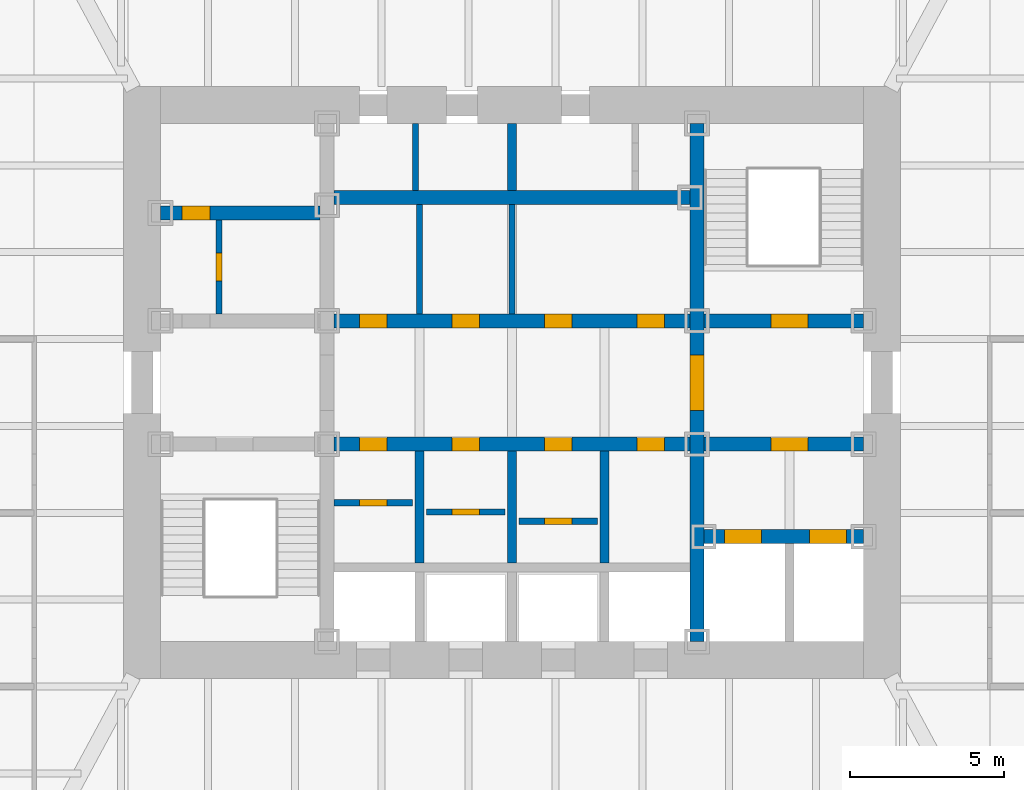
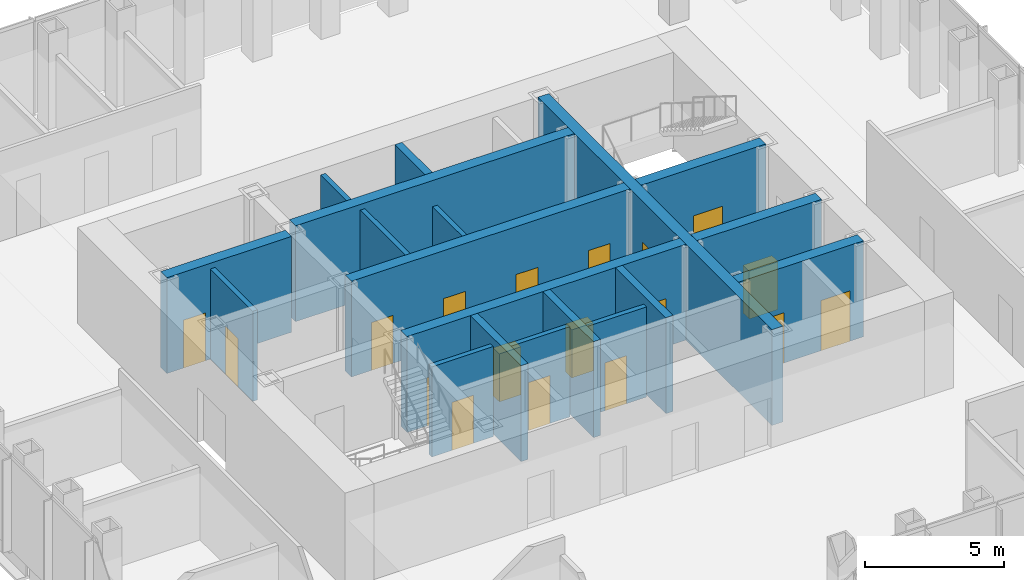
# One storey, part 9 of 16: 19 walls, 18 doors, 18 openings.
"""IFC4 building model written with IfcOpenShell, lengths in metres."""

import ifcopenshell
import ifcopenshell.guid

model = None  # the IFC model being written
_history = None  # IfcOwnerHistory: only IFC2X3 demands one
_inside = {}  # id of a spatial element -> (the spatial element, [elements in it])
_under = {}  # id of a project, library or spatial element -> (it, [spatial elements below it])
_declared = {}  # id of a project -> (the project, [libraries it declares])
_typed = {}  # id of a type object -> (the type object, [elements of that type])
_made_of = {}  # id of a material, layer set ... -> (it, [elements and type objects made of it])


def new_model(schema):
    """Start an empty IFC model of exactly this schema.

    Asked for "IFC4X3", IfcOpenShell would pick the latest addendum, in which some entities
    have other attributes; the version numbers below select the first issue.
    IFC2X3 requires an IfcOwnerHistory on every rooted entity: one is made here for all.
    """
    global model, _history
    if schema == "IFC4X3":
        model = ifcopenshell.file(schema_version=(4, 3, 0, 0))
    else:
        model = ifcopenshell.file(schema=schema)
    _inside.clear()
    _under.clear()
    _declared.clear()
    _typed.clear()
    _made_of.clear()
    _history = None
    if model.schema == "IFC2X3":
        org = make("IfcOrganization", Name="unknown")
        user = make(
            "IfcPersonAndOrganization",
            ThePerson=make("IfcPerson", FamilyName="unknown"),
            TheOrganization=org,
        )
        app = make(
            "IfcApplication",
            ApplicationDeveloper=org,
            Version="unknown",
            ApplicationFullName="unknown",
            ApplicationIdentifier="unknown",
        )
        _history = make(
            "IfcOwnerHistory",
            OwningUser=user,
            OwningApplication=app,
            ChangeAction="ADDED",
            CreationDate=0,
        )
    return model


def make(cls, **values):
    """One entity of the class cls with the attributes given. An attribute that is None is left unset."""
    return model.create_entity(
        cls, **{name: value for name, value in values.items() if value is not None}
    )


def rooted(cls, **values):
    """An entity with a GlobalId (a new one), such as an element, a storey or a relation."""
    return make(cls, GlobalId=ifcopenshell.guid.new(), OwnerHistory=_history, **values)


def si_unit(unit_type, name, prefix=None):
    """IfcSIUnit, for example si_unit("LENGTHUNIT", "METRE", prefix="MILLI")."""
    return make("IfcSIUnit", UnitType=unit_type, Prefix=prefix, Name=name)


def assignment(units):
    """IfcUnitAssignment: the units of a project."""
    return None if units is None else make("IfcUnitAssignment", Units=units)


def point(xyz):
    """IfcCartesianPoint."""
    return None if xyz is None else make("IfcCartesianPoint", Coordinates=xyz)


def direction(xyz):
    """IfcDirection."""
    return None if xyz is None else make("IfcDirection", DirectionRatios=xyz)


def frame(location, z_axis=None, x_axis=None):
    """IfcAxis2Placement3D, a coordinate frame: its origin and axes. An axis left out is left unset."""
    return make(
        "IfcAxis2Placement3D",
        Location=point(location),
        Axis=direction(z_axis),
        RefDirection=direction(x_axis),
    )


def frame_2d(location, x_axis=None):
    """IfcAxis2Placement2D, a coordinate frame in the plane: its origin and x axis."""
    return make(
        "IfcAxis2Placement2D", Location=point(location), RefDirection=direction(x_axis)
    )


def origin():
    """The frame at (0, 0, 0) with its axes left unset."""
    return frame((0.0, 0.0, 0.0))


def place(relative_to, where):
    """IfcLocalPlacement: puts the frame where relative to a parent placement (None: the world)."""
    return make(
        "IfcLocalPlacement", PlacementRelTo=relative_to, RelativePlacement=where
    )


def context(
    kind, dimensions, precision=None, world=None, true_north=None, identifier=None
):
    """IfcGeometricRepresentationContext, for example the 3D "Model" context."""
    return make(
        "IfcGeometricRepresentationContext",
        ContextIdentifier=identifier,
        ContextType=kind,
        CoordinateSpaceDimension=dimensions,
        Precision=precision,
        WorldCoordinateSystem=world,
        TrueNorth=true_north,
    )


def subcontext(parent, identifier, kind, view, scale=None):
    """IfcGeometricRepresentationSubContext, for example "Body" below "Model"."""
    return make(
        "IfcGeometricRepresentationSubContext",
        ContextIdentifier=identifier,
        ContextType=kind,
        ParentContext=parent,
        TargetScale=scale,
        TargetView=view,
    )


def project(units=None, contexts=None):
    """IfcProject with its units and contexts."""
    return rooted(
        "IfcProject",
        Name="project",
        RepresentationContexts=contexts,
        UnitsInContext=assignment(units),
    )


def spatial(cls, under=None, at=None, **own):
    """A site, building, storey or space (cls), placed at a placement, below another one or the project."""
    s = rooted(cls, ObjectPlacement=at, **own)
    if under is not None:
        _under.setdefault(under.id(), (under, []))[1].append(s)
    return s


def profile(cls, at=None, kind="AREA", **sizes):
    """A parametric profile (cls). Its sizes go by their IFC names, for example OverallWidth=200.0."""
    return make(cls, ProfileType=kind, Position=at, **sizes)


def rectangle(**sizes):
    """IfcRectangleProfileDef."""
    return profile("IfcRectangleProfileDef", **sizes)


def extrude(swept, where, along, depth):
    """IfcExtrudedAreaSolid: the profile swept, set in the frame where, extruded along a direction by depth."""
    return make(
        "IfcExtrudedAreaSolid",
        SweptArea=swept,
        Position=where,
        ExtrudedDirection=direction(along),
        Depth=depth,
    )


def shape(context_of_items, identifier, shape_type, items):
    """IfcShapeRepresentation: the items that make up one representation, for example the "Body"."""
    return make(
        "IfcShapeRepresentation",
        ContextOfItems=context_of_items,
        RepresentationIdentifier=identifier,
        RepresentationType=shape_type,
        Items=items,
    )


def material(Name=None, Category=None):
    """IfcMaterial."""
    return make("IfcMaterial", Name=Name, Category=Category)


def layer(
    of_material, thickness, ventilated=None, Name=None, Category=None, Priority=None
):
    """IfcMaterialLayer: one layer of a wall or slab, of a material (None: an air gap)."""
    return make(
        "IfcMaterialLayer",
        Material=of_material,
        LayerThickness=thickness,
        IsVentilated=ventilated,
        Name=Name,
        Category=Category,
        Priority=Priority,
    )


def layer_set(layers, Name=None):
    """IfcMaterialLayerSet."""
    return make("IfcMaterialLayerSet", MaterialLayers=layers, LayerSetName=Name)


def made_of(thing, what):
    """Note that an element or type object is made of a material, layer set ...; save() writes the relation."""
    if what is not None:
        _made_of.setdefault(what.id(), (what, []))[1].append(thing)
    return thing


def type_object(cls, material=None, **own):
    """A type object (cls), such as IfcWallType, which elements share."""
    return made_of(rooted(cls, **own), material)


def element(
    cls,
    number,
    at=None,
    inside=None,
    cuts=None,
    type_object=None,
    material=None,
    context=None,
    identifier="Body",
    shape_type=None,
    held_by="IfcProductDefinitionShape",
    body=None,
    shapes=None,
    **own,
):
    """One element of the class cls, such as IfcWall. Its Tag is "e" and its number.

    at: its placement. inside: the storey or other place that contains it. cuts: it is an
    opening in that element (IfcRelVoidsElement). A single representation is given by context,
    identifier, shape_type and body (its items); several are given by shapes. held_by: the class
    of the entity that holds the representations. save() writes the other relations.
    """
    e = rooted(cls, Tag="e%d" % number, ObjectPlacement=at, **own)
    if body is not None:
        shapes = [shape(context, identifier, shape_type, body)]
    if shapes is not None:
        e.Representation = make(held_by, Representations=shapes)
    if inside is not None:
        _inside.setdefault(inside.id(), (inside, []))[1].append(e)
    if cuts is not None:
        rooted(
            "IfcRelVoidsElement", RelatingBuildingElement=cuts, RelatedOpeningElement=e
        )
    if type_object is not None:
        _typed.setdefault(type_object.id(), (type_object, []))[1].append(e)
    return made_of(e, material)


def fill(opening, filler):
    """IfcRelFillsElement: the door or window that sits in an opening."""
    return rooted(
        "IfcRelFillsElement",
        RelatingOpeningElement=opening,
        RelatedBuildingElement=filler,
    )


def aggregate(whole, parts):
    """IfcRelAggregates: a whole, such as a stair, and the parts it consists of."""
    return rooted("IfcRelAggregates", RelatingObject=whole, RelatedObjects=parts)


def save(model, path):
    """Write the relations noted so far, then the file.

    IfcRelAggregates (storeys below a building ...), IfcRelContainedInSpatialStructure (elements
    in a storey), IfcRelDefinesByType, IfcRelAssociatesMaterial and IfcRelDeclares: one each for
    every whole, place, type object, material and project.
    """
    for whole, parts in _under.values():
        aggregate(whole, parts)
    for where, things in _inside.values():
        rooted(
            "IfcRelContainedInSpatialStructure",
            RelatedElements=things,
            RelatingStructure=where,
        )
    for kind, things in _typed.values():
        rooted("IfcRelDefinesByType", RelatedObjects=things, RelatingType=kind)
    for what, things in _made_of.values():
        rooted("IfcRelAssociatesMaterial", RelatedObjects=things, RelatingMaterial=what)
    for by, libraries in _declared.values():
        rooted("IfcRelDeclares", RelatingContext=by, RelatedDefinitions=libraries)
    model.write(path)


model = new_model("IFC4")

# Units and contexts
model_context = context("Model", 3, precision=1e-05, world=origin(), true_north=direction((0.0, 1.0)))
body_context = subcontext(model_context, "Body", "Model", "MODEL_VIEW")
ifc_project = project(units=[si_unit("LENGTHUNIT", "METRE"), si_unit("AREAUNIT", "SQUARE_METRE"), si_unit("VOLUMEUNIT", "CUBIC_METRE"), si_unit("PLANEANGLEUNIT", "RADIAN"), si_unit("MASSUNIT", "GRAM", prefix="KILO")], contexts=[model_context])

# Site, building, storey
site_placement = place(None, origin())
site = spatial("IfcSite", under=ifc_project, at=site_placement, CompositionType="ELEMENT")
building_placement = place(site_placement, origin())
building = spatial("IfcBuilding", under=site, at=building_placement, Name="Daluyong Arena Tower", CompositionType="ELEMENT")
storey_placement = place(building_placement, frame((0.0, 0.0, 240.10009765625)))
storey = spatial("IfcBuildingStorey", under=building, at=storey_placement, Name="L54", CompositionType="ELEMENT", Elevation=240.10009765625)

# Wall, opening, door
ifc_material_1 = material(Name="Concrete fc' 45 MPa", Category="concrete")
ifc_layer_1 = layer(ifc_material_1, 0.449951171875)
ifc_layer_set_1 = layer_set([ifc_layer_1], Name="Concrete fc' 45 MPa")
wall_type_1 = type_object("IfcWallType", Name="Core inner wall 450", PredefinedType="SHEAR", material=ifc_layer_set_1)
wall_1_placement = place(storey_placement, frame((62.0, 71.60009765625, 0.0), z_axis=(0.0, 0.0, 1.0), x_axis=(0.0, 1.0, 0.0)))
wall_1 = element("IfcWall", 1, at=wall_1_placement, inside=storey, type_object=wall_type_1, Name="core inner wall at L54", PredefinedType="SHEAR", context=body_context, shape_type="SweptSolid", body=[
    extrude(rectangle(XDim=16.7998046875, YDim=0.449951171875, at=frame_2d((8.39990234375, 0.0))), origin(), (0.0, 0.0, 1.0), 4.199951171875),
])
opening_1_placement = place(wall_1_placement, frame((7.5, 0.0, 0.0)))
opening_1 = element("IfcOpeningElement", 2, at=opening_1_placement, cuts=wall_1, Name="Opening 54024", PredefinedType="OPENING", context=body_context, shape_type="SweptSolid", body=[
    extrude(rectangle(XDim=1.800048828125, YDim=2.39990234375, at=frame_2d((0.89990234375, 1.199951171875))), frame((0.0, 0.23486328125, 0.0), z_axis=(0.0, -1.0, 0.0), x_axis=(1.0, 0.0, 0.0)), (0.0, 0.0, 1.0), 0.469970703125),
])
ifc_material_2 = material(Name="Steel door, fire rated", Category="steel")
door_type_1 = type_object("IfcDoorType", Name="Lift lobby opening door 1800", OperationType="DOUBLE_DOOR_SINGLE_SWING", PredefinedType="DOOR", material=ifc_material_2)
door_1_placement = place(opening_1_placement, origin())
door_1 = element("IfcDoor", 3, at=door_1_placement, inside=storey, type_object=door_type_1, Name="lift lobby door east 54024", OperationType="DOUBLE_DOOR_SINGLE_SWING", OverallHeight=2.39990234375, OverallWidth=1.800048828125, PredefinedType="DOOR", context=body_context, shape_type="SweptSolid", body=[
    extrude(rectangle(XDim=1.800048828125, YDim=2.39990234375, at=frame_2d((0.89990234375, 1.199951171875))), frame((0.0, 0.224609375, 0.0), z_axis=(0.0, -1.0, 0.0), x_axis=(1.0, 0.0, 0.0)), (0.0, 0.0, 1.0), 0.449462890625),
])
fill(opening_1, door_1)

wall_2_placement = place(storey_placement, frame((44.60009765625, 85.5, 0.0), z_axis=(0.0, 0.0, 1.0), x_axis=(1.0, 0.0, 0.0)))
wall_2 = element("IfcWall", 4, at=wall_2_placement, inside=storey, type_object=wall_type_1, Name="core inner wall at L54", PredefinedType="SHEAR", context=body_context, shape_type="SweptSolid", body=[
    extrude(rectangle(XDim=5.1748046875, YDim=0.449951171875, at=frame_2d((2.58740234375, 0.0))), origin(), (0.0, 0.0, 1.0), 4.199951171875),
])
opening_2_placement = place(wall_2_placement, frame((0.699951171875, 0.0, 0.0)))
opening_2 = element("IfcOpeningElement", 5, at=opening_2_placement, cuts=wall_2, Name="Opening 54003", PredefinedType="OPENING", context=body_context, shape_type="SweptSolid", body=[
    extrude(rectangle(XDim=0.89990234375, YDim=2.10009765625, at=frame_2d((0.449951171875, 1.050048828125))), frame((0.0, 0.23486328125, 0.0), z_axis=(0.0, -1.0, 0.0), x_axis=(1.0, 0.0, 0.0)), (0.0, 0.0, 1.0), 0.469970703125),
])
ifc_material_3 = material(Name="Timber door", Category="wood")
door_type_2 = type_object("IfcDoorType", Name="Toilet door 900", OperationType="SINGLE_SWING_RIGHT", PredefinedType="DOOR", material=ifc_material_3)
door_2_placement = place(opening_2_placement, origin())
door_2 = element("IfcDoor", 6, at=door_2_placement, inside=storey, type_object=door_type_2, Name="female toilet door 54003", OperationType="SINGLE_SWING_RIGHT", OverallHeight=2.10009765625, OverallWidth=0.89990234375, PredefinedType="DOOR", context=body_context, shape_type="SweptSolid", body=[
    extrude(rectangle(XDim=0.89990234375, YDim=2.10009765625, at=frame_2d((0.449951171875, 1.050048828125))), frame((0.0, 0.224609375, 0.0), z_axis=(0.0, -1.0, 0.0), x_axis=(1.0, 0.0, 0.0)), (0.0, 0.0, 1.0), 0.449462890625),
])
fill(opening_2, door_2)

# Wall, openings, doors
wall_3_placement = place(storey_placement, frame((62.22509765625, 75.0, 0.0), z_axis=(0.0, 0.0, 1.0), x_axis=(1.0, 0.0, 0.0)))
wall_3 = element("IfcWall", 7, at=wall_3_placement, inside=storey, type_object=wall_type_1, Name="core inner wall at L54", PredefinedType="SHEAR", context=body_context, shape_type="SweptSolid", body=[
    extrude(rectangle(XDim=5.1748046875, YDim=0.449951171875, at=frame_2d((2.58740234375, 0.0))), origin(), (0.0, 0.0, 1.0), 4.199951171875),
])
opening_3_placement = place(wall_3_placement, frame((0.675048828125, 0.0, 0.0)))
opening_3 = element("IfcOpeningElement", 8, at=opening_3_placement, cuts=wall_3, Name="Opening 54030", PredefinedType="OPENING", context=body_context, shape_type="SweptSolid", body=[
    extrude(rectangle(XDim=1.199951171875, YDim=2.199951171875, at=frame_2d((0.60009765625, 1.10009765625))), frame((0.0, 0.23486328125, 0.0), z_axis=(0.0, -1.0, 0.0), x_axis=(1.0, 0.0, 0.0)), (0.0, 0.0, 1.0), 0.469970703125),
])
opening_4_placement = place(wall_3_placement, frame((3.425048828125, 0.0, 0.0)))
opening_4 = element("IfcOpeningElement", 9, at=opening_4_placement, cuts=wall_3, Name="Opening 54031", PredefinedType="OPENING", context=body_context, shape_type="SweptSolid", body=[
    extrude(rectangle(XDim=1.199951171875, YDim=2.199951171875, at=frame_2d((0.60009765625, 1.10009765625))), frame((0.0, 0.23486328125, 0.0), z_axis=(0.0, -1.0, 0.0), x_axis=(1.0, 0.0, 0.0)), (0.0, 0.0, 1.0), 0.469970703125),
])
ifc_material_4 = material(Name="Steel door, fire rated", Category="steel")
door_type_3 = type_object("IfcDoorType", Name="Firefighting lift landing door 1200", OperationType="SLIDING_TO_LEFT", PredefinedType="DOOR", material=ifc_material_4)
door_3_placement = place(opening_3_placement, origin())
door_3 = element("IfcDoor", 10, at=door_3_placement, inside=storey, type_object=door_type_3, Name="firefighting lift landing door F1 54030", OperationType="SLIDING_TO_LEFT", OverallHeight=2.199951171875, OverallWidth=1.199951171875, PredefinedType="DOOR", context=body_context, shape_type="SweptSolid", body=[
    extrude(rectangle(XDim=1.199951171875, YDim=2.199951171875, at=frame_2d((0.60009765625, 1.10009765625))), frame((0.0, 0.224609375, 0.0), z_axis=(0.0, -1.0, 0.0), x_axis=(1.0, 0.0, 0.0)), (0.0, 0.0, 1.0), 0.449462890625),
])
fill(opening_3, door_3)
door_4_placement = place(opening_4_placement, origin())
door_4 = element("IfcDoor", 11, at=door_4_placement, inside=storey, type_object=door_type_3, Name="firefighting lift landing door F2 54031", OperationType="SLIDING_TO_LEFT", OverallHeight=2.199951171875, OverallWidth=1.199951171875, PredefinedType="DOOR", context=body_context, shape_type="SweptSolid", body=[
    extrude(rectangle(XDim=1.199951171875, YDim=2.199951171875, at=frame_2d((0.60009765625, 1.10009765625))), frame((0.0, 0.224609375, 0.0), z_axis=(0.0, -1.0, 0.0), x_axis=(1.0, 0.0, 0.0)), (0.0, 0.0, 1.0), 0.449462890625),
])
fill(opening_4, door_4)

# Wall, opening, door
wall_4_placement = place(storey_placement, frame((62.22509765625, 78.0, 0.0), z_axis=(0.0, 0.0, 1.0), x_axis=(1.0, 0.0, 0.0)))
wall_4 = element("IfcWall", 12, at=wall_4_placement, inside=storey, type_object=wall_type_1, Name="core inner wall at L54", PredefinedType="SHEAR", context=body_context, shape_type="SweptSolid", body=[
    extrude(rectangle(XDim=5.1748046875, YDim=0.449951171875, at=frame_2d((2.58740234375, 0.0))), origin(), (0.0, 0.0, 1.0), 4.199951171875),
])
opening_5_placement = place(wall_4_placement, frame((2.175048828125, 0.0, 0.0)))
opening_5 = element("IfcOpeningElement", 13, at=opening_5_placement, cuts=wall_4, Name="Opening 54025", PredefinedType="OPENING", context=body_context, shape_type="SweptSolid", body=[
    extrude(rectangle(XDim=1.199951171875, YDim=2.10009765625, at=frame_2d((0.60009765625, 1.050048828125))), frame((0.0, 0.23486328125, 0.0), z_axis=(0.0, -1.0, 0.0), x_axis=(1.0, 0.0, 0.0)), (0.0, 0.0, 1.0), 0.469970703125),
])
ifc_material_5 = material(Name="Steel door, fire rated", Category="steel")
door_type_4 = type_object("IfcDoorType", Name="Firefighting lobby door 1200", OperationType="SINGLE_SWING_RIGHT", PredefinedType="DOOR", material=ifc_material_5)
door_5_placement = place(opening_5_placement, origin())
door_5 = element("IfcDoor", 14, at=door_5_placement, inside=storey, type_object=door_type_4, Name="firefighting lobby door 54025", OperationType="SINGLE_SWING_RIGHT", OverallHeight=2.10009765625, OverallWidth=1.199951171875, PredefinedType="DOOR", context=body_context, shape_type="SweptSolid", body=[
    extrude(rectangle(XDim=1.199951171875, YDim=2.10009765625, at=frame_2d((0.60009765625, 1.050048828125))), frame((0.0, 0.224609375, 0.0), z_axis=(0.0, -1.0, 0.0), x_axis=(1.0, 0.0, 0.0)), (0.0, 0.0, 1.0), 0.449462890625),
])
fill(opening_5, door_5)

wall_5_placement = place(storey_placement, frame((62.22509765625, 82.0, 0.0), z_axis=(0.0, 0.0, 1.0), x_axis=(1.0, 0.0, 0.0)))
wall_5 = element("IfcWall", 15, at=wall_5_placement, inside=storey, type_object=wall_type_1, Name="core inner wall at L54", PredefinedType="SHEAR", context=body_context, shape_type="SweptSolid", body=[
    extrude(rectangle(XDim=5.1748046875, YDim=0.449951171875, at=frame_2d((2.58740234375, 0.0))), origin(), (0.0, 0.0, 1.0), 4.199951171875),
])
opening_6_placement = place(wall_5_placement, frame((2.175048828125, 0.0, 0.0)))
opening_6 = element("IfcOpeningElement", 16, at=opening_6_placement, cuts=wall_5, Name="Opening 54020", PredefinedType="OPENING", context=body_context, shape_type="SweptSolid", body=[
    extrude(rectangle(XDim=1.199951171875, YDim=2.10009765625, at=frame_2d((0.60009765625, 1.050048828125))), frame((0.0, 0.23486328125, 0.0), z_axis=(0.0, -1.0, 0.0), x_axis=(1.0, 0.0, 0.0)), (0.0, 0.0, 1.0), 0.469970703125),
])
ifc_material_6 = material(Name="Steel door, fire rated", Category="steel")
door_type_5 = type_object("IfcDoorType", Name="Stair door 1200", OperationType="SINGLE_SWING_LEFT", PredefinedType="DOOR", material=ifc_material_6)
door_6_placement = place(opening_6_placement, origin())
door_6 = element("IfcDoor", 17, at=door_6_placement, inside=storey, type_object=door_type_5, Name="stair B door 54020", OperationType="SINGLE_SWING_LEFT", OverallHeight=2.10009765625, OverallWidth=1.199951171875, PredefinedType="DOOR", context=body_context, shape_type="SweptSolid", body=[
    extrude(rectangle(XDim=1.199951171875, YDim=2.10009765625, at=frame_2d((0.60009765625, 1.050048828125))), frame((0.0, 0.224609375, 0.0), z_axis=(0.0, -1.0, 0.0), x_axis=(1.0, 0.0, 0.0)), (0.0, 0.0, 1.0), 0.449462890625),
])
fill(opening_6, door_6)

# Wall, openings, doors
wall_6_placement = place(storey_placement, frame((50.22509765625, 78.0, 0.0), z_axis=(0.0, 0.0, 1.0), x_axis=(1.0, 0.0, 0.0)))
wall_6 = element("IfcWall", 18, at=wall_6_placement, inside=storey, type_object=wall_type_1, Name="core inner wall at L54", PredefinedType="SHEAR", context=body_context, shape_type="SweptSolid", body=[
    extrude(rectangle(XDim=11.5498046875, YDim=0.449951171875, at=frame_2d((5.77490234375, 0.0))), origin(), (0.0, 0.0, 1.0), 4.199951171875),
])
opening_7_placement = place(wall_6_placement, frame((0.824951171875, 0.0, 0.0)))
opening_7 = element("IfcOpeningElement", 19, at=opening_7_placement, cuts=wall_6, Name="Opening 54008", PredefinedType="OPENING", context=body_context, shape_type="SweptSolid", body=[
    extrude(rectangle(XDim=0.89990234375, YDim=2.10009765625, at=frame_2d((0.449951171875, 1.050048828125))), frame((0.0, 0.23486328125, 0.0), z_axis=(0.0, -1.0, 0.0), x_axis=(1.0, 0.0, 0.0)), (0.0, 0.0, 1.0), 0.469970703125),
])
opening_8_placement = place(wall_6_placement, frame((3.824951171875, 0.0, 0.0)))
opening_8 = element("IfcOpeningElement", 20, at=opening_8_placement, cuts=wall_6, Name="Opening 54010", PredefinedType="OPENING", context=body_context, shape_type="SweptSolid", body=[
    extrude(rectangle(XDim=0.89990234375, YDim=2.10009765625, at=frame_2d((0.449951171875, 1.050048828125))), frame((0.0, 0.23486328125, 0.0), z_axis=(0.0, -1.0, 0.0), x_axis=(1.0, 0.0, 0.0)), (0.0, 0.0, 1.0), 0.469970703125),
])
opening_9_placement = place(wall_6_placement, frame((6.824951171875, 0.0, 0.0)))
opening_9 = element("IfcOpeningElement", 21, at=opening_9_placement, cuts=wall_6, Name="Opening 54012", PredefinedType="OPENING", context=body_context, shape_type="SweptSolid", body=[
    extrude(rectangle(XDim=0.89990234375, YDim=2.10009765625, at=frame_2d((0.449951171875, 1.050048828125))), frame((0.0, 0.23486328125, 0.0), z_axis=(0.0, -1.0, 0.0), x_axis=(1.0, 0.0, 0.0)), (0.0, 0.0, 1.0), 0.469970703125),
])
opening_10_placement = place(wall_6_placement, frame((9.824951171875, 0.0, 0.0)))
opening_10 = element("IfcOpeningElement", 22, at=opening_10_placement, cuts=wall_6, Name="Opening 54014", PredefinedType="OPENING", context=body_context, shape_type="SweptSolid", body=[
    extrude(rectangle(XDim=0.89990234375, YDim=2.10009765625, at=frame_2d((0.449951171875, 1.050048828125))), frame((0.0, 0.23486328125, 0.0), z_axis=(0.0, -1.0, 0.0), x_axis=(1.0, 0.0, 0.0)), (0.0, 0.0, 1.0), 0.469970703125),
])
ifc_material_7 = material(Name="Steel door, fire rated", Category="steel")
door_type_6 = type_object("IfcDoorType", Name="Core room door 900", OperationType="SINGLE_SWING_LEFT", PredefinedType="DOOR", material=ifc_material_7)
door_7_placement = place(opening_10_placement, origin())
door_7 = element("IfcDoor", 23, at=door_7_placement, inside=storey, type_object=door_type_6, Name="print room door 54014", OperationType="SINGLE_SWING_LEFT", OverallHeight=2.10009765625, OverallWidth=0.89990234375, PredefinedType="DOOR", context=body_context, shape_type="SweptSolid", body=[
    extrude(rectangle(XDim=0.89990234375, YDim=2.10009765625, at=frame_2d((0.449951171875, 1.050048828125))), frame((0.0, 0.224609375, 0.0), z_axis=(0.0, -1.0, 0.0), x_axis=(1.0, 0.0, 0.0)), (0.0, 0.0, 1.0), 0.449462890625),
])
fill(opening_10, door_7)
ifc_material_8 = material(Name="Steel door, fire rated", Category="steel")
door_type_7 = type_object("IfcDoorType", Name="Core store door 900", OperationType="SINGLE_SWING_LEFT", PredefinedType="DOOR", material=ifc_material_8)
door_8_placement = place(opening_7_placement, origin())
door_8 = element("IfcDoor", 24, at=door_8_placement, inside=storey, type_object=door_type_7, Name="security store door 54008", OperationType="SINGLE_SWING_LEFT", OverallHeight=2.10009765625, OverallWidth=0.89990234375, PredefinedType="DOOR", context=body_context, shape_type="SweptSolid", body=[
    extrude(rectangle(XDim=0.89990234375, YDim=2.10009765625, at=frame_2d((0.449951171875, 1.050048828125))), frame((0.0, 0.224609375, 0.0), z_axis=(0.0, -1.0, 0.0), x_axis=(1.0, 0.0, 0.0)), (0.0, 0.0, 1.0), 0.449462890625),
])
fill(opening_7, door_8)
door_9_placement = place(opening_8_placement, origin())
door_9 = element("IfcDoor", 25, at=door_9_placement, inside=storey, type_object=door_type_7, Name="tenant store door 54010", OperationType="SINGLE_SWING_LEFT", OverallHeight=2.10009765625, OverallWidth=0.89990234375, PredefinedType="DOOR", context=body_context, shape_type="SweptSolid", body=[
    extrude(rectangle(XDim=0.89990234375, YDim=2.10009765625, at=frame_2d((0.449951171875, 1.050048828125))), frame((0.0, 0.224609375, 0.0), z_axis=(0.0, -1.0, 0.0), x_axis=(1.0, 0.0, 0.0)), (0.0, 0.0, 1.0), 0.449462890625),
])
fill(opening_8, door_9)
door_10_placement = place(opening_9_placement, origin())
door_10 = element("IfcDoor", 26, at=door_10_placement, inside=storey, type_object=door_type_7, Name="stationery store door 54012", OperationType="SINGLE_SWING_LEFT", OverallHeight=2.10009765625, OverallWidth=0.89990234375, PredefinedType="DOOR", context=body_context, shape_type="SweptSolid", body=[
    extrude(rectangle(XDim=0.89990234375, YDim=2.10009765625, at=frame_2d((0.449951171875, 1.050048828125))), frame((0.0, 0.224609375, 0.0), z_axis=(0.0, -1.0, 0.0), x_axis=(1.0, 0.0, 0.0)), (0.0, 0.0, 1.0), 0.449462890625),
])
fill(opening_9, door_10)

wall_7_placement = place(storey_placement, frame((50.22509765625, 82.0, 0.0), z_axis=(0.0, 0.0, 1.0), x_axis=(1.0, 0.0, 0.0)))
wall_7 = element("IfcWall", 27, at=wall_7_placement, inside=storey, type_object=wall_type_1, Name="core inner wall at L54", PredefinedType="SHEAR", context=body_context, shape_type="SweptSolid", body=[
    extrude(rectangle(XDim=11.5498046875, YDim=0.449951171875, at=frame_2d((5.77490234375, 0.0))), origin(), (0.0, 0.0, 1.0), 4.199951171875),
])
opening_11_placement = place(wall_7_placement, frame((0.824951171875, 0.0, 0.0)))
opening_11 = element("IfcOpeningElement", 28, at=opening_11_placement, cuts=wall_7, Name="Opening 54015", PredefinedType="OPENING", context=body_context, shape_type="SweptSolid", body=[
    extrude(rectangle(XDim=0.89990234375, YDim=2.10009765625, at=frame_2d((0.449951171875, 1.050048828125))), frame((0.0, 0.23486328125, 0.0), z_axis=(0.0, -1.0, 0.0), x_axis=(1.0, 0.0, 0.0)), (0.0, 0.0, 1.0), 0.469970703125),
])
opening_12_placement = place(wall_7_placement, frame((3.824951171875, 0.0, 0.0)))
opening_12 = element("IfcOpeningElement", 29, at=opening_12_placement, cuts=wall_7, Name="Opening 54016", PredefinedType="OPENING", context=body_context, shape_type="SweptSolid", body=[
    extrude(rectangle(XDim=0.89990234375, YDim=2.10009765625, at=frame_2d((0.449951171875, 1.050048828125))), frame((0.0, 0.23486328125, 0.0), z_axis=(0.0, -1.0, 0.0), x_axis=(1.0, 0.0, 0.0)), (0.0, 0.0, 1.0), 0.469970703125),
])
opening_13_placement = place(wall_7_placement, frame((6.824951171875, 0.0, 0.0)))
opening_13 = element("IfcOpeningElement", 30, at=opening_13_placement, cuts=wall_7, Name="Opening 54017", PredefinedType="OPENING", context=body_context, shape_type="SweptSolid", body=[
    extrude(rectangle(XDim=0.89990234375, YDim=2.10009765625, at=frame_2d((0.449951171875, 1.050048828125))), frame((0.0, 0.23486328125, 0.0), z_axis=(0.0, -1.0, 0.0), x_axis=(1.0, 0.0, 0.0)), (0.0, 0.0, 1.0), 0.469970703125),
])
opening_14_placement = place(wall_7_placement, frame((9.824951171875, 0.0, 0.0)))
opening_14 = element("IfcOpeningElement", 31, at=opening_14_placement, cuts=wall_7, Name="Opening 54018", PredefinedType="OPENING", context=body_context, shape_type="SweptSolid", body=[
    extrude(rectangle(XDim=0.89990234375, YDim=2.10009765625, at=frame_2d((0.449951171875, 1.050048828125))), frame((0.0, 0.23486328125, 0.0), z_axis=(0.0, -1.0, 0.0), x_axis=(1.0, 0.0, 0.0)), (0.0, 0.0, 1.0), 0.469970703125),
])
door_11_placement = place(opening_12_placement, origin())
door_11 = element("IfcDoor", 32, at=door_11_placement, inside=storey, type_object=door_type_6, Name="mail room door 54016", OperationType="SINGLE_SWING_LEFT", OverallHeight=2.10009765625, OverallWidth=0.89990234375, PredefinedType="DOOR", context=body_context, shape_type="SweptSolid", body=[
    extrude(rectangle(XDim=0.89990234375, YDim=2.10009765625, at=frame_2d((0.449951171875, 1.050048828125))), frame((0.0, 0.224609375, 0.0), z_axis=(0.0, -1.0, 0.0), x_axis=(1.0, 0.0, 0.0)), (0.0, 0.0, 1.0), 0.449462890625),
])
fill(opening_12, door_11)
door_12_placement = place(opening_13_placement, origin())
door_12 = element("IfcDoor", 33, at=door_12_placement, inside=storey, type_object=door_type_6, Name="parcel room door 54017", OperationType="SINGLE_SWING_LEFT", OverallHeight=2.10009765625, OverallWidth=0.89990234375, PredefinedType="DOOR", context=body_context, shape_type="SweptSolid", body=[
    extrude(rectangle(XDim=0.89990234375, YDim=2.10009765625, at=frame_2d((0.449951171875, 1.050048828125))), frame((0.0, 0.224609375, 0.0), z_axis=(0.0, -1.0, 0.0), x_axis=(1.0, 0.0, 0.0)), (0.0, 0.0, 1.0), 0.449462890625),
])
fill(opening_13, door_12)
door_13_placement = place(opening_14_placement, origin())
door_13 = element("IfcDoor", 34, at=door_13_placement, inside=storey, type_object=door_type_6, Name="parcel room door 54018", OperationType="SINGLE_SWING_LEFT", OverallHeight=2.10009765625, OverallWidth=0.89990234375, PredefinedType="DOOR", context=body_context, shape_type="SweptSolid", body=[
    extrude(rectangle(XDim=0.89990234375, YDim=2.10009765625, at=frame_2d((0.449951171875, 1.050048828125))), frame((0.0, 0.224609375, 0.0), z_axis=(0.0, -1.0, 0.0), x_axis=(1.0, 0.0, 0.0)), (0.0, 0.0, 1.0), 0.449462890625),
])
fill(opening_14, door_13)
ifc_material_9 = material(Name="Steel door, fire rated", Category="steel")
door_type_8 = type_object("IfcDoorType", Name="Plant room door 900", OperationType="SINGLE_SWING_LEFT", PredefinedType="DOOR", material=ifc_material_9)
door_14_placement = place(opening_11_placement, origin())
door_14 = element("IfcDoor", 35, at=door_14_placement, inside=storey, type_object=door_type_8, Name="comms room door 54015", OperationType="SINGLE_SWING_LEFT", OverallHeight=2.10009765625, OverallWidth=0.89990234375, PredefinedType="DOOR", context=body_context, shape_type="SweptSolid", body=[
    extrude(rectangle(XDim=0.89990234375, YDim=2.10009765625, at=frame_2d((0.449951171875, 1.050048828125))), frame((0.0, 0.224609375, 0.0), z_axis=(0.0, -1.0, 0.0), x_axis=(1.0, 0.0, 0.0)), (0.0, 0.0, 1.0), 0.449462890625),
])
fill(opening_11, door_14)

# Wall
wall_8_placement = place(storey_placement, frame((50.22509765625, 86.0, 0.0), z_axis=(0.0, 0.0, 1.0), x_axis=(1.0, 0.0, 0.0)))
element("IfcWall", 36, at=wall_8_placement, inside=storey, type_object=wall_type_1, Name="core inner wall at L54", PredefinedType="SHEAR", context=body_context, shape_type="SweptSolid", body=[
    extrude(rectangle(XDim=11.5498046875, YDim=0.449951171875, at=frame_2d((5.77490234375, 0.0))), origin(), (0.0, 0.0, 1.0), 4.199951171875),
])

# Wall, opening, door
ifc_material_10 = material(Name="Concrete block partition, fire rated", Category="concrete")
ifc_layer_2 = layer(ifc_material_10, 0.199951171875)
ifc_layer_set_2 = layer_set([ifc_layer_2], Name="Concrete block partition, fire rated")
wall_type_2 = type_object("IfcWallType", Name="Fire-rated partition 200", PredefinedType="PARTITIONING", material=ifc_layer_set_2)
wall_9_placement = place(storey_placement, frame((46.5, 82.22509765625, 0.0), z_axis=(0.0, 0.0, 1.0), x_axis=(0.0, 1.0, 0.0)))
wall_9 = element("IfcWall", 37, at=wall_9_placement, inside=storey, type_object=wall_type_2, Name="toilet lobby partition at L54", PredefinedType="PARTITIONING", context=body_context, shape_type="SweptSolid", body=[
    extrude(rectangle(XDim=3.0498046875, YDim=0.199951171875, at=frame_2d((1.52490234375, 0.0))), origin(), (0.0, 0.0, 1.0), 3.949951171875),
])
opening_15_placement = place(wall_9_placement, frame((1.074951171875, 0.0, 0.0)))
opening_15 = element("IfcOpeningElement", 38, at=opening_15_placement, cuts=wall_9, Name="Opening 54002", PredefinedType="OPENING", context=body_context, shape_type="SweptSolid", body=[
    extrude(rectangle(XDim=0.89990234375, YDim=2.10009765625, at=frame_2d((0.449951171875, 1.050048828125))), frame((0.0, 0.10986328125, 0.0), z_axis=(0.0, -1.0, 0.0), x_axis=(1.0, 0.0, 0.0)), (0.0, 0.0, 1.0), 0.219970703125),
])
door_15_placement = place(opening_15_placement, origin())
door_15 = element("IfcDoor", 39, at=door_15_placement, inside=storey, type_object=door_type_2, Name="male toilet door 54002", OperationType="SINGLE_SWING_RIGHT", OverallHeight=2.10009765625, OverallWidth=0.89990234375, PredefinedType="DOOR", context=body_context, shape_type="SweptSolid", body=[
    extrude(rectangle(XDim=0.89990234375, YDim=2.10009765625, at=frame_2d((0.449951171875, 1.050048828125))), frame((0.0, 0.099609375, 0.0), z_axis=(0.0, -1.0, 0.0), x_axis=(1.0, 0.0, 0.0)), (0.0, 0.0, 1.0), 0.199462890625),
])
fill(opening_15, door_15)

# Wall
wall_10_placement = place(storey_placement, frame((52.875, 86.22509765625, 0.0), z_axis=(0.0, 0.0, 1.0), x_axis=(0.0, 1.0, 0.0)))
element("IfcWall", 40, at=wall_10_placement, inside=storey, type_object=wall_type_2, Name="core room partition at L54", PredefinedType="PARTITIONING", context=body_context, shape_type="SweptSolid", body=[
    extrude(rectangle(XDim=2.1748046875, YDim=0.199951171875, at=frame_2d((1.08740234375, 0.0))), origin(), (0.0, 0.0, 1.0), 3.949951171875),
])

# Wall, opening, door
wall_11_placement = place(storey_placement, frame((50.22509765625, 76.10009765625, 0.0), z_axis=(0.0, 0.0, 1.0), x_axis=(1.0, 0.0, 0.0)))
wall_11 = element("IfcWall", 41, at=wall_11_placement, inside=storey, type_object=wall_type_2, Name="back store partition at L54", PredefinedType="PARTITIONING", context=body_context, shape_type="SweptSolid", body=[
    extrude(rectangle(XDim=2.5498046875, YDim=0.199951171875, at=frame_2d((1.27490234375, 0.0))), origin(), (0.0, 0.0, 1.0), 3.949951171875),
])
opening_16_placement = place(wall_11_placement, frame((0.824951171875, 0.0, 0.0)))
opening_16 = element("IfcOpeningElement", 42, at=opening_16_placement, cuts=wall_11, Name="Opening 54009", PredefinedType="OPENING", context=body_context, shape_type="SweptSolid", body=[
    extrude(rectangle(XDim=0.89990234375, YDim=2.10009765625, at=frame_2d((0.449951171875, 1.050048828125))), frame((0.0, 0.10986328125, 0.0), z_axis=(0.0, -1.0, 0.0), x_axis=(1.0, 0.0, 0.0)), (0.0, 0.0, 1.0), 0.219970703125),
])
door_16_placement = place(opening_16_placement, origin())
door_16 = element("IfcDoor", 43, at=door_16_placement, inside=storey, type_object=door_type_7, Name="facilities store door 54009", OperationType="SINGLE_SWING_LEFT", OverallHeight=2.10009765625, OverallWidth=0.89990234375, PredefinedType="DOOR", context=body_context, shape_type="SweptSolid", body=[
    extrude(rectangle(XDim=0.89990234375, YDim=2.10009765625, at=frame_2d((0.449951171875, 1.050048828125))), frame((0.0, 0.099609375, 0.0), z_axis=(0.0, -1.0, 0.0), x_axis=(1.0, 0.0, 0.0)), (0.0, 0.0, 1.0), 0.199462890625),
])
fill(opening_16, door_16)

wall_12_placement = place(storey_placement, frame((53.22509765625, 75.800048828125, 0.0), z_axis=(0.0, 0.0, 1.0), x_axis=(1.0, 0.0, 0.0)))
wall_12 = element("IfcWall", 44, at=wall_12_placement, inside=storey, type_object=wall_type_2, Name="back store partition at L54", PredefinedType="PARTITIONING", context=body_context, shape_type="SweptSolid", body=[
    extrude(rectangle(XDim=2.5498046875, YDim=0.199951171875, at=frame_2d((1.27490234375, 0.0))), origin(), (0.0, 0.0, 1.0), 3.949951171875),
])
opening_17_placement = place(wall_12_placement, frame((0.824951171875, 0.0, 0.0)))
opening_17 = element("IfcOpeningElement", 45, at=opening_17_placement, cuts=wall_12, Name="Opening 54011", PredefinedType="OPENING", context=body_context, shape_type="SweptSolid", body=[
    extrude(rectangle(XDim=0.89990234375, YDim=2.10009765625, at=frame_2d((0.449951171875, 1.050048828125))), frame((0.0, 0.10986328125, 0.0), z_axis=(0.0, -1.0, 0.0), x_axis=(1.0, 0.0, 0.0)), (0.0, 0.0, 1.0), 0.219970703125),
])
door_17_placement = place(opening_17_placement, origin())
door_17 = element("IfcDoor", 46, at=door_17_placement, inside=storey, type_object=door_type_7, Name="cleaner's store door 54011", OperationType="SINGLE_SWING_LEFT", OverallHeight=2.10009765625, OverallWidth=0.89990234375, PredefinedType="DOOR", context=body_context, shape_type="SweptSolid", body=[
    extrude(rectangle(XDim=0.89990234375, YDim=2.10009765625, at=frame_2d((0.449951171875, 1.050048828125))), frame((0.0, 0.099609375, 0.0), z_axis=(0.0, -1.0, 0.0), x_axis=(1.0, 0.0, 0.0)), (0.0, 0.0, 1.0), 0.199462890625),
])
fill(opening_17, door_17)

wall_13_placement = place(storey_placement, frame((56.22509765625, 75.5, 0.0), z_axis=(0.0, 0.0, 1.0), x_axis=(1.0, 0.0, 0.0)))
wall_13 = element("IfcWall", 47, at=wall_13_placement, inside=storey, type_object=wall_type_2, Name="back store partition at L54", PredefinedType="PARTITIONING", context=body_context, shape_type="SweptSolid", body=[
    extrude(rectangle(XDim=2.5498046875, YDim=0.199951171875, at=frame_2d((1.27490234375, 0.0))), origin(), (0.0, 0.0, 1.0), 3.949951171875),
])
opening_18_placement = place(wall_13_placement, frame((0.824951171875, 0.0, 0.0)))
opening_18 = element("IfcOpeningElement", 48, at=opening_18_placement, cuts=wall_13, Name="Opening 54013", PredefinedType="OPENING", context=body_context, shape_type="SweptSolid", body=[
    extrude(rectangle(XDim=0.89990234375, YDim=2.10009765625, at=frame_2d((0.449951171875, 1.050048828125))), frame((0.0, 0.10986328125, 0.0), z_axis=(0.0, -1.0, 0.0), x_axis=(1.0, 0.0, 0.0)), (0.0, 0.0, 1.0), 0.219970703125),
])
door_18_placement = place(opening_18_placement, origin())
door_18 = element("IfcDoor", 49, at=door_18_placement, inside=storey, type_object=door_type_7, Name="archive store door 54013", OperationType="SINGLE_SWING_LEFT", OverallHeight=2.10009765625, OverallWidth=0.89990234375, PredefinedType="DOOR", context=body_context, shape_type="SweptSolid", body=[
    extrude(rectangle(XDim=0.89990234375, YDim=2.10009765625, at=frame_2d((0.449951171875, 1.050048828125))), frame((0.0, 0.099609375, 0.0), z_axis=(0.0, -1.0, 0.0), x_axis=(1.0, 0.0, 0.0)), (0.0, 0.0, 1.0), 0.199462890625),
])
fill(opening_18, door_18)

# Walls
wall_14_placement = place(storey_placement, frame((53.0, 82.22509765625, 0.0), z_axis=(0.0, 0.0, 1.0), x_axis=(0.0, 1.0, 0.0)))
element("IfcWall", 50, at=wall_14_placement, inside=storey, type_object=wall_type_2, Name="core room partition at L54", PredefinedType="PARTITIONING", context=body_context, shape_type="SweptSolid", body=[
    extrude(rectangle(XDim=3.5498046875, YDim=0.199951171875, at=frame_2d((1.77490234375, 0.0))), origin(), (0.0, 0.0, 1.0), 3.949951171875),
])
wall_15_placement = place(storey_placement, frame((56.0, 82.22509765625, 0.0), z_axis=(0.0, 0.0, 1.0), x_axis=(0.0, 1.0, 0.0)))
element("IfcWall", 51, at=wall_15_placement, inside=storey, type_object=wall_type_2, Name="core room partition at L54", PredefinedType="PARTITIONING", context=body_context, shape_type="SweptSolid", body=[
    extrude(rectangle(XDim=3.5498046875, YDim=0.199951171875, at=frame_2d((1.77490234375, 0.0))), origin(), (0.0, 0.0, 1.0), 3.0498046875),
])
ifc_material_11 = material(Name="Concrete fc' 45 MPa", Category="concrete")
ifc_layer_3 = layer(ifc_material_11, 0.300048828125)
ifc_layer_set_3 = layer_set([ifc_layer_3], Name="Concrete fc' 45 MPa")
wall_type_3 = type_object("IfcWallType", Name="Lift shaft wall 300", PredefinedType="SHEAR", material=ifc_layer_set_3)
for number, where, z_axis, x_axis, name in (
    (52, (53.0, 74.14990234375, 0.0), (0.0, 0.0, 1.0), (0.0, 1.0, 0.0), "lift shaft wall at L54"),
    (53, (56.0, 74.14990234375, 0.0), (0.0, 0.0, 1.0), (0.0, 1.0, 0.0), "lift shaft wall at L54"),
    (54, (59.0, 74.14990234375, 0.0), (0.0, 0.0, 1.0), (0.0, 1.0, 0.0), "lift shaft wall at L54"),
):
    element("IfcWall", number, at=place(storey_placement, frame(where, z_axis=z_axis, x_axis=x_axis)), inside=storey, type_object=wall_type_3, Name=name, PredefinedType="SHEAR", context=body_context, shape_type="SweptSolid", body=[
        extrude(rectangle(XDim=3.625, YDim=0.300048828125, at=frame_2d((1.8125, 0.0))), origin(), (0.0, 0.0, 1.0), 4.199951171875),
    ])
wall_16_placement = place(storey_placement, frame((56.0, 86.22509765625, 0.0), z_axis=(0.0, 0.0, 1.0), x_axis=(0.0, 1.0, 0.0)))
element("IfcWall", 55, at=wall_16_placement, inside=storey, type_object=wall_type_3, Name="lift shaft wall at L54", PredefinedType="SHEAR", context=body_context, shape_type="SweptSolid", body=[
    extrude(rectangle(XDim=2.1748046875, YDim=0.300048828125, at=frame_2d((1.08740234375, 0.0))), origin(), (0.0, 0.0, 1.0), 4.199951171875),
])

save(model, "model.ifc")
